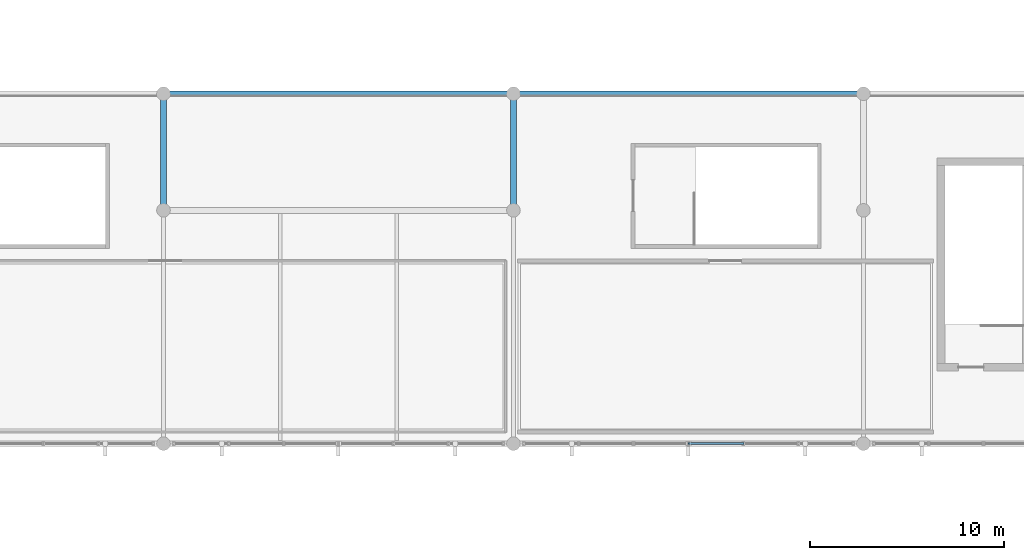
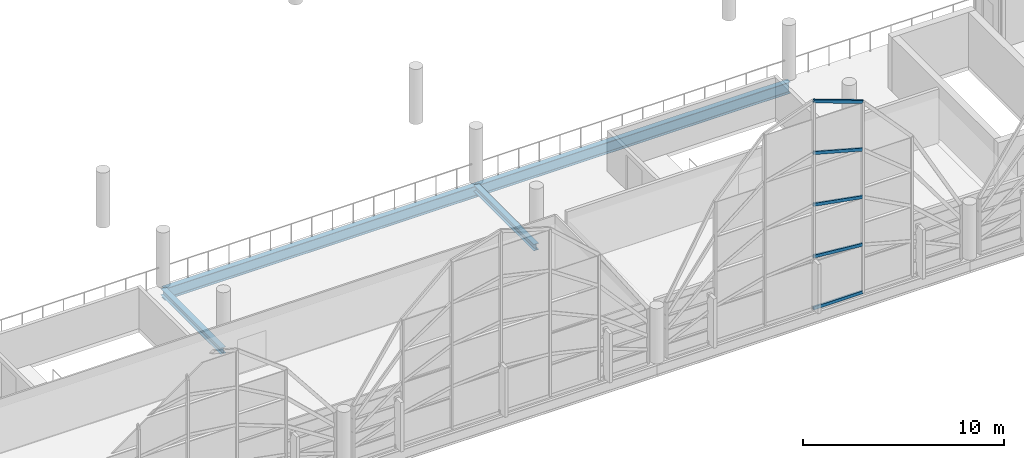
# One storey, part 30 of 116: 5 members, 4 beams, 1 element without a shape of its own.
"""IFC4 building model written with IfcOpenShell, lengths in metres."""

from ifc_helpers import new_model, si_unit, direction, frame, origin, origin_2d, place, context, subcontext, project, spatial, hollow_rectangle, i_section, extrude, material, material_profile, profile_set, type_object, element, aggregate, save


model = new_model("IFC4")

# Units and contexts
model_context = context("Model", 3, precision=1e-05, world=origin(), true_north=direction((0.0, 1.0)))
body_context = subcontext(model_context, "Body", "Model", "MODEL_VIEW")
ifc_project = project(units=[si_unit("LENGTHUNIT", "METRE"), si_unit("AREAUNIT", "SQUARE_METRE"), si_unit("VOLUMEUNIT", "CUBIC_METRE"), si_unit("PLANEANGLEUNIT", "RADIAN"), si_unit("MASSUNIT", "GRAM", prefix="KILO")], contexts=[model_context])

# Site, building, storey
site_placement = place(None, origin())
site = spatial("IfcSite", under=ifc_project, at=site_placement, CompositionType="ELEMENT")
building_placement = place(site_placement, origin())
building = spatial("IfcBuilding", under=site, at=building_placement, Name="Chuanluo Vaults Station", CompositionType="ELEMENT")
storey_placement = place(building_placement, frame((0.0, 0.0, 10.800048828125)))
storey = spatial("IfcBuildingStorey", under=building, at=storey_placement, Name="L02", CompositionType="ELEMENT", Elevation=10.800048828125)

# Beams
ifc_material_1 = material(Name="Steel Q355C", Category="steel")
ifc_material_profile_1 = material_profile(ifc_material_1, i_section(OverallWidth=0.300048828125, OverallDepth=0.389892578125, WebThickness=0.010009765625, FlangeThickness=0.01611328125, FilletRadius=0.02001953125, at=origin_2d()))
ifc_profile_set_1 = profile_set([ifc_material_profile_1], Name="Steel Q355C")
beam_type_1 = type_object("IfcBeamType", Name="BM-GRD-400", PredefinedType="BEAM", material=ifc_profile_set_1)
for number, where, z_axis, x_axis, name in (
    (1, (36.0, 30.0, -0.4150390625), (0.0, 1.0, 0.0), (-1.0, 0.0, 0.0), "Floor girder BM:GY:L02:0623"),
    (2, (54.0, 30.0, -0.4150390625), (0.0, 1.0, 0.0), (-1.0, 0.0, 0.0), "Floor girder BM:GY:L02:0625"),
):
    element("IfcBeam", number, at=place(storey_placement, frame(where, z_axis=z_axis, x_axis=x_axis)), inside=storey, type_object=beam_type_1, Name=name, PredefinedType="BEAM", context=body_context, shape_type="SweptSolid", body=[
        extrude(i_section(OverallWidth=0.300048828125, OverallDepth=0.389892578125, WebThickness=0.010009765625, FlangeThickness=0.01611328125, FilletRadius=0.02001953125, at=origin_2d()), origin(), (0.0, 0.0, 1.0), 6.0),
    ])
ifc_material_2 = material(Name="Steel Q355C", Category="steel")
ifc_material_profile_2 = material_profile(ifc_material_2, i_section(OverallWidth=0.300048828125, OverallDepth=0.699951171875, WebThickness=0.012939453125, FlangeThickness=0.02392578125, FilletRadius=0.02197265625, at=origin_2d()))
ifc_profile_set_2 = profile_set([ifc_material_profile_2], Name="Steel Q355C")
beam_type_2 = type_object("IfcBeamType", Name="BM-GRD-700", PredefinedType="USERDEFINED", material=ifc_profile_set_2)
for number, where, z_axis, x_axis, name in (
    (3, (36.0, 36.0, -0.570068359375), (1.0, 0.0, 0.0), (0.0, 1.0, 0.0), "Floor girder BM:GX:L02:0563"),
    (4, (54.0, 36.0, -0.570068359375), (1.0, 0.0, 0.0), (0.0, 1.0, 0.0), "Floor girder BM:GX:L02:0564"),
):
    element("IfcBeam", number, at=place(storey_placement, frame(where, z_axis=z_axis, x_axis=x_axis)), inside=storey, type_object=beam_type_2, Name=name, ObjectType="GIRDER", PredefinedType="USERDEFINED", context=body_context, shape_type="SweptSolid", body=[
        extrude(i_section(OverallWidth=0.300048828125, OverallDepth=0.699951171875, WebThickness=0.012939453125, FlangeThickness=0.02392578125, FilletRadius=0.02197265625, at=origin_2d()), origin(), (0.0, 0.0, 1.0), 18.0),
    ])

# Curtain wall, members
ifc_material_3 = material(Name="Anodised aluminium 6063-T6", Category="aluminium")
curtain_wall_type = type_object("IfcCurtainWallType", Name="CW-SYS-12", PredefinedType="NOTDEFINED", material=ifc_material_3)
curtain_wall_placement = place(storey_placement, origin())
curtain_wall = element("IfcCurtainWall", 5, at=curtain_wall_placement, inside=storey, type_object=curtain_wall_type, Name="Vault V4 south arched curtain wall", PredefinedType="NOTDEFINED")
ifc_material_4 = material(Name="Anodised aluminium 6063-T6", Category="aluminium")
ifc_material_profile_3 = material_profile(ifc_material_4, hollow_rectangle(XDim=0.10498046875, YDim=0.18505859375, WallThickness=0.0048828125, at=origin_2d()))
ifc_profile_set_3 = profile_set([ifc_material_profile_3], Name="Anodised aluminium 6063-T6")
member_type = type_object("IfcMemberType", Name="CWT-110", PredefinedType="USERDEFINED", material=ifc_profile_set_3)
member_1_placement = place(storey_placement, frame((65.824951171875, 18.0, 0.0), z_axis=(-1.0, 0.0, 0.0), x_axis=(0.0, -1.0, 0.0)))
member_1 = element("IfcMember", 6, at=member_1_placement, type_object=member_type, Name="Vault V4 south arched curtain wall transom 3.1", ObjectType="TRANSOM", PredefinedType="USERDEFINED", context=body_context, shape_type="SweptSolid", body=[
    extrude(hollow_rectangle(XDim=0.10498046875, YDim=0.18505859375, WallThickness=0.0048828125, at=origin_2d()), origin(), (0.0, 0.0, 1.0), 2.824951171875),
])
member_2_placement = place(storey_placement, frame((65.824951171875, 18.0, 2.89306640625), z_axis=(-0.995892500962, 0.0, 0.090543506267), x_axis=(0.0, -1.0, 0.0)))
member_2 = element("IfcMember", 7, at=member_2_placement, type_object=member_type, Name="Vault V4 south arched curtain wall transom 3.2", ObjectType="TRANSOM", PredefinedType="USERDEFINED", context=body_context, shape_type="SweptSolid", body=[
    extrude(hollow_rectangle(XDim=0.10498046875, YDim=0.18505859375, WallThickness=0.0048828125, at=origin_2d()), origin(), (0.0, 0.0, 1.0), 2.836669921875),
])
member_3_placement = place(storey_placement, frame((65.824951171875, 18.0, 5.7861328125), z_axis=(-0.983852219589, 0.0, 0.178982708689), x_axis=(0.0, -1.0, 0.0)))
member_3 = element("IfcMember", 8, at=member_3_placement, type_object=member_type, Name="Vault V4 south arched curtain wall transom 3.3", ObjectType="TRANSOM", PredefinedType="USERDEFINED", context=body_context, shape_type="SweptSolid", body=[
    extrude(hollow_rectangle(XDim=0.10498046875, YDim=0.18505859375, WallThickness=0.0048828125, at=origin_2d()), origin(), (0.0, 0.0, 1.0), 2.871337890625),
])
member_4_placement = place(storey_placement, frame((65.824951171875, 18.0, 8.67919921875), z_axis=(-0.964736879511, 0.0, 0.263216172208), x_axis=(0.0, -1.0, 0.0)))
member_4 = element("IfcMember", 9, at=member_4_placement, type_object=member_type, Name="Vault V4 south arched curtain wall transom 3.4", ObjectType="TRANSOM", PredefinedType="USERDEFINED", context=body_context, shape_type="SweptSolid", body=[
    extrude(hollow_rectangle(XDim=0.10498046875, YDim=0.18505859375, WallThickness=0.0048828125, at=origin_2d()), origin(), (0.0, 0.0, 1.0), 2.92822265625),
])
member_5_placement = place(storey_placement, frame((65.824951171875, 18.0, 11.572265625), z_axis=(-0.939757849063, 0.0, 0.341840876908), x_axis=(0.0, -1.0, 0.0)))
member_5 = element("IfcMember", 10, at=member_5_placement, type_object=member_type, Name="Vault V4 south arched curtain wall transom 3.5", ObjectType="TRANSOM", PredefinedType="USERDEFINED", context=body_context, shape_type="SweptSolid", body=[
    extrude(hollow_rectangle(XDim=0.10498046875, YDim=0.18505859375, WallThickness=0.0048828125, at=origin_2d()), origin(), (0.0, 0.0, 1.0), 3.006103515625),
])
aggregate(curtain_wall, [member_1, member_2, member_3, member_4, member_5])

save(model, "model.ifc")
